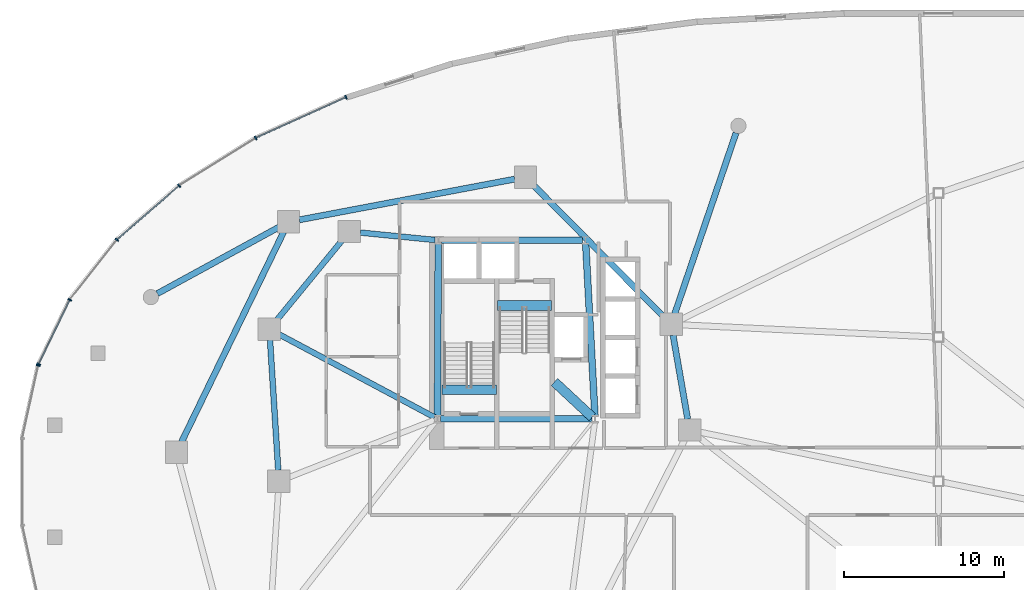
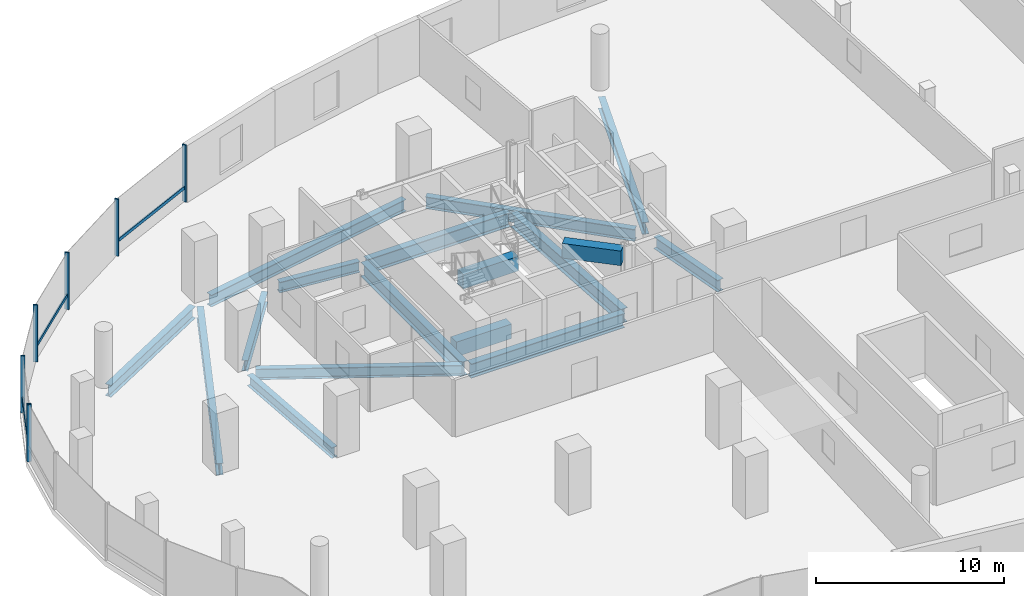
# One storey, part 5 of 18: 17 beams, 10 members, 2 elements without a shape of their own.
"""IFC4 building model written with IfcOpenShell, lengths in metres."""

import ifcopenshell
import ifcopenshell.guid

model = None  # the IFC model being written
_history = None  # IfcOwnerHistory: only IFC2X3 demands one
_inside = {}  # id of a spatial element -> (the spatial element, [elements in it])
_under = {}  # id of a project, library or spatial element -> (it, [spatial elements below it])
_declared = {}  # id of a project -> (the project, [libraries it declares])
_typed = {}  # id of a type object -> (the type object, [elements of that type])
_made_of = {}  # id of a material, layer set ... -> (it, [elements and type objects made of it])


def new_model(schema):
    """Start an empty IFC model of exactly this schema.

    Asked for "IFC4X3", IfcOpenShell would pick the latest addendum, in which some entities
    have other attributes; the version numbers below select the first issue.
    IFC2X3 requires an IfcOwnerHistory on every rooted entity: one is made here for all.
    """
    global model, _history
    if schema == "IFC4X3":
        model = ifcopenshell.file(schema_version=(4, 3, 0, 0))
    else:
        model = ifcopenshell.file(schema=schema)
    _inside.clear()
    _under.clear()
    _declared.clear()
    _typed.clear()
    _made_of.clear()
    _history = None
    if model.schema == "IFC2X3":
        org = make("IfcOrganization", Name="unknown")
        user = make(
            "IfcPersonAndOrganization",
            ThePerson=make("IfcPerson", FamilyName="unknown"),
            TheOrganization=org,
        )
        app = make(
            "IfcApplication",
            ApplicationDeveloper=org,
            Version="unknown",
            ApplicationFullName="unknown",
            ApplicationIdentifier="unknown",
        )
        _history = make(
            "IfcOwnerHistory",
            OwningUser=user,
            OwningApplication=app,
            ChangeAction="ADDED",
            CreationDate=0,
        )
    return model


def make(cls, **values):
    """One entity of the class cls with the attributes given. An attribute that is None is left unset."""
    return model.create_entity(
        cls, **{name: value for name, value in values.items() if value is not None}
    )


def rooted(cls, **values):
    """An entity with a GlobalId (a new one), such as an element, a storey or a relation."""
    return make(cls, GlobalId=ifcopenshell.guid.new(), OwnerHistory=_history, **values)


def si_unit(unit_type, name, prefix=None):
    """IfcSIUnit, for example si_unit("LENGTHUNIT", "METRE", prefix="MILLI")."""
    return make("IfcSIUnit", UnitType=unit_type, Prefix=prefix, Name=name)


def assignment(units):
    """IfcUnitAssignment: the units of a project."""
    return None if units is None else make("IfcUnitAssignment", Units=units)


def point(xyz):
    """IfcCartesianPoint."""
    return None if xyz is None else make("IfcCartesianPoint", Coordinates=xyz)


def direction(xyz):
    """IfcDirection."""
    return None if xyz is None else make("IfcDirection", DirectionRatios=xyz)


def frame(location, z_axis=None, x_axis=None):
    """IfcAxis2Placement3D, a coordinate frame: its origin and axes. An axis left out is left unset."""
    return make(
        "IfcAxis2Placement3D",
        Location=point(location),
        Axis=direction(z_axis),
        RefDirection=direction(x_axis),
    )


def frame_2d(location, x_axis=None):
    """IfcAxis2Placement2D, a coordinate frame in the plane: its origin and x axis."""
    return make(
        "IfcAxis2Placement2D", Location=point(location), RefDirection=direction(x_axis)
    )


def origin():
    """The frame at (0, 0, 0) with its axes left unset."""
    return frame((0.0, 0.0, 0.0))


def origin_2d():
    """The frame at (0, 0) in the plane with its x axis left unset."""
    return frame_2d((0.0, 0.0))


def place(relative_to, where):
    """IfcLocalPlacement: puts the frame where relative to a parent placement (None: the world)."""
    return make(
        "IfcLocalPlacement", PlacementRelTo=relative_to, RelativePlacement=where
    )


def context(
    kind, dimensions, precision=None, world=None, true_north=None, identifier=None
):
    """IfcGeometricRepresentationContext, for example the 3D "Model" context."""
    return make(
        "IfcGeometricRepresentationContext",
        ContextIdentifier=identifier,
        ContextType=kind,
        CoordinateSpaceDimension=dimensions,
        Precision=precision,
        WorldCoordinateSystem=world,
        TrueNorth=true_north,
    )


def subcontext(parent, identifier, kind, view, scale=None):
    """IfcGeometricRepresentationSubContext, for example "Body" below "Model"."""
    return make(
        "IfcGeometricRepresentationSubContext",
        ContextIdentifier=identifier,
        ContextType=kind,
        ParentContext=parent,
        TargetScale=scale,
        TargetView=view,
    )


def project(units=None, contexts=None):
    """IfcProject with its units and contexts."""
    return rooted(
        "IfcProject",
        Name="project",
        RepresentationContexts=contexts,
        UnitsInContext=assignment(units),
    )


def spatial(cls, under=None, at=None, **own):
    """A site, building, storey or space (cls), placed at a placement, below another one or the project."""
    s = rooted(cls, ObjectPlacement=at, **own)
    if under is not None:
        _under.setdefault(under.id(), (under, []))[1].append(s)
    return s


def profile(cls, at=None, kind="AREA", **sizes):
    """A parametric profile (cls). Its sizes go by their IFC names, for example OverallWidth=200.0."""
    return make(cls, ProfileType=kind, Position=at, **sizes)


def rectangle(**sizes):
    """IfcRectangleProfileDef."""
    return profile("IfcRectangleProfileDef", **sizes)


def i_section(**sizes):
    """IfcIShapeProfileDef."""
    return profile("IfcIShapeProfileDef", **sizes)


def extrude(swept, where, along, depth):
    """IfcExtrudedAreaSolid: the profile swept, set in the frame where, extruded along a direction by depth."""
    return make(
        "IfcExtrudedAreaSolid",
        SweptArea=swept,
        Position=where,
        ExtrudedDirection=direction(along),
        Depth=depth,
    )


def shape(context_of_items, identifier, shape_type, items):
    """IfcShapeRepresentation: the items that make up one representation, for example the "Body"."""
    return make(
        "IfcShapeRepresentation",
        ContextOfItems=context_of_items,
        RepresentationIdentifier=identifier,
        RepresentationType=shape_type,
        Items=items,
    )


def material(Name=None, Category=None):
    """IfcMaterial."""
    return make("IfcMaterial", Name=Name, Category=Category)


def material_profile(
    of_material, cross_section, Name=None, Category=None, Priority=None
):
    """IfcMaterialProfile: a cross section and its material."""
    return make(
        "IfcMaterialProfile",
        Name=Name,
        Material=of_material,
        Profile=cross_section,
        Priority=Priority,
        Category=Category,
    )


def profile_set(profiles, Name=None, composite=None):
    """IfcMaterialProfileSet."""
    return make(
        "IfcMaterialProfileSet",
        Name=Name,
        MaterialProfiles=profiles,
        CompositeProfile=composite,
    )


def made_of(thing, what):
    """Note that an element or type object is made of a material, layer set ...; save() writes the relation."""
    if what is not None:
        _made_of.setdefault(what.id(), (what, []))[1].append(thing)
    return thing


def type_object(cls, material=None, **own):
    """A type object (cls), such as IfcWallType, which elements share."""
    return made_of(rooted(cls, **own), material)


def element(
    cls,
    number,
    at=None,
    inside=None,
    cuts=None,
    type_object=None,
    material=None,
    context=None,
    identifier="Body",
    shape_type=None,
    held_by="IfcProductDefinitionShape",
    body=None,
    shapes=None,
    **own,
):
    """One element of the class cls, such as IfcWall. Its Tag is "e" and its number.

    at: its placement. inside: the storey or other place that contains it. cuts: it is an
    opening in that element (IfcRelVoidsElement). A single representation is given by context,
    identifier, shape_type and body (its items); several are given by shapes. held_by: the class
    of the entity that holds the representations. save() writes the other relations.
    """
    e = rooted(cls, Tag="e%d" % number, ObjectPlacement=at, **own)
    if body is not None:
        shapes = [shape(context, identifier, shape_type, body)]
    if shapes is not None:
        e.Representation = make(held_by, Representations=shapes)
    if inside is not None:
        _inside.setdefault(inside.id(), (inside, []))[1].append(e)
    if cuts is not None:
        rooted(
            "IfcRelVoidsElement", RelatingBuildingElement=cuts, RelatedOpeningElement=e
        )
    if type_object is not None:
        _typed.setdefault(type_object.id(), (type_object, []))[1].append(e)
    return made_of(e, material)


def aggregate(whole, parts):
    """IfcRelAggregates: a whole, such as a stair, and the parts it consists of."""
    return rooted("IfcRelAggregates", RelatingObject=whole, RelatedObjects=parts)


def save(model, path):
    """Write the relations noted so far, then the file.

    IfcRelAggregates (storeys below a building ...), IfcRelContainedInSpatialStructure (elements
    in a storey), IfcRelDefinesByType, IfcRelAssociatesMaterial and IfcRelDeclares: one each for
    every whole, place, type object, material and project.
    """
    for whole, parts in _under.values():
        aggregate(whole, parts)
    for where, things in _inside.values():
        rooted(
            "IfcRelContainedInSpatialStructure",
            RelatedElements=things,
            RelatingStructure=where,
        )
    for kind, things in _typed.values():
        rooted("IfcRelDefinesByType", RelatedObjects=things, RelatingType=kind)
    for what, things in _made_of.values():
        rooted("IfcRelAssociatesMaterial", RelatedObjects=things, RelatingMaterial=what)
    for by, libraries in _declared.values():
        rooted("IfcRelDeclares", RelatingContext=by, RelatedDefinitions=libraries)
    model.write(path)


model = new_model("IFC4")

# Units and contexts
model_context = context("Model", 3, precision=1e-05, world=origin(), true_north=direction((0.0, 1.0)))
body_context = subcontext(model_context, "Body", "Model", "MODEL_VIEW")
ifc_project = project(units=[si_unit("LENGTHUNIT", "METRE"), si_unit("AREAUNIT", "SQUARE_METRE"), si_unit("VOLUMEUNIT", "CUBIC_METRE"), si_unit("PLANEANGLEUNIT", "RADIAN"), si_unit("MASSUNIT", "GRAM", prefix="KILO"), si_unit("THERMODYNAMICTEMPERATUREUNIT", "KELVIN"), si_unit("POWERUNIT", "WATT")], contexts=[model_context])

# Site, building, storey
site_placement = place(None, origin())
site = spatial("IfcSite", under=ifc_project, at=site_placement, CompositionType="ELEMENT")
building_placement = place(site_placement, origin())
building = spatial("IfcBuilding", under=site, at=building_placement, Name="Cundina Bronze Exchange", CompositionType="ELEMENT")
storey_placement = place(building_placement, frame((0.0, 0.0, 20.0)))
storey = spatial("IfcBuildingStorey", under=building, at=storey_placement, Name="L04", CompositionType="ELEMENT", Elevation=20.0)

# Beams
ifc_material_1 = material(Name="Concrete C60/75", Category="concrete")
ifc_material_profile_1 = material_profile(ifc_material_1, rectangle(XDim=0.60009765625, YDim=0.949951171875, at=origin_2d()), Name="RC600X950", Category="concrete")
ifc_profile_set_1 = profile_set([ifc_material_profile_1], Name="Concrete C60/75")
beam_type_1 = type_object("IfcBeamType", Name="BM-COUP-RC950", PredefinedType="LINTEL", material=ifc_profile_set_1)
beam_1_placement = place(storey_placement, frame((-31.02001953125, 5.719970703125, -0.47509765625), z_axis=(1.0, 0.0, 0.0), x_axis=(0.0, 1.0, 0.0)))
element("IfcBeam", 1, at=beam_1_placement, inside=storey, type_object=beam_type_1, Name="L04 Stair W1 Landing Header Beam", PredefinedType="LINTEL", context=body_context, shape_type="SweptSolid", body=[
    extrude(rectangle(XDim=0.60009765625, YDim=0.949951171875, at=origin_2d()), origin(), (0.0, 0.0, 1.0), 3.39990234375),
])
beam_2_placement = place(storey_placement, frame((-27.56005859375, 10.97998046875, -0.47509765625), z_axis=(1.0, 0.0, 0.0), x_axis=(0.0, 1.0, 0.0)))
element("IfcBeam", 2, at=beam_2_placement, inside=storey, type_object=beam_type_1, Name="L04 Stair W2 Landing Header Beam", PredefinedType="LINTEL", context=body_context, shape_type="SweptSolid", body=[
    extrude(rectangle(XDim=0.60009765625, YDim=0.949951171875, at=origin_2d()), origin(), (0.0, 0.0, 1.0), 3.400146484375),
])
beam_3_placement = place(storey_placement, frame((-23.989990234375, 6.199951171875, 3.22509765625), z_axis=(0.731490439815, -0.681851696822, 0.0), x_axis=(0.681851696822, 0.731490439815, 0.0)))
element("IfcBeam", 3, at=beam_3_placement, inside=storey, type_object=beam_type_1, Name="L04 W Core Shear Coupling Lintel Beam", PredefinedType="LINTEL", context=body_context, shape_type="SweptSolid", body=[
    extrude(rectangle(XDim=0.60009765625, YDim=0.949951171875, at=origin_2d()), origin(), (0.0, 0.0, 1.0), 3.226318359375),
])
ifc_material_2 = material(Name="Steel ASTM A992 Grade 50", Category="steel")
ifc_material_profile_2 = material_profile(ifc_material_2, i_section(OverallWidth=0.35498046875, OverallDepth=0.695068359375, WebThickness=0.015380859375, FlangeThickness=0.02490234375, FilletRadius=0.01806640625, at=origin_2d()), Name="W27X146", Category="steel")
ifc_profile_set_2 = profile_set([ifc_material_profile_2], Name="Steel ASTM A992 Grade 50")
beam_type_2 = type_object("IfcBeamType", Name="BM-RING-W27", PredefinedType="USERDEFINED", material=ifc_profile_set_2)
beam_4_placement = place(storey_placement, frame((-31.452880859375, 15.070068359375, -0.697509765625), z_axis=(-0.995123484374, 0.098636964914, 0.0), x_axis=(-0.098636964914, -0.995123484374, 0.0)))
element("IfcBeam", 4, at=beam_4_placement, inside=storey, type_object=beam_type_2, Name="L04 W Inner Structural Ring Girder 01", ObjectType="GIRDER", PredefinedType="USERDEFINED", context=body_context, shape_type="SweptSolid", body=[
    extrude(i_section(OverallWidth=0.35498046875, OverallDepth=0.695068359375, WebThickness=0.015380859375, FlangeThickness=0.02490234375, FilletRadius=0.01806640625, at=origin_2d()), origin(), (0.0, 0.0, 1.0), 4.685546875),
])
beam_5_placement = place(storey_placement, frame((-37.236083984375, 15.06787109375, -0.697509765625), z_axis=(-0.633941925234, -0.773380653644, 0.0), x_axis=(0.773380653644, -0.633941925234, 0.0)))
element("IfcBeam", 5, at=beam_5_placement, inside=storey, type_object=beam_type_2, Name="L04 W Inner Structural Ring Girder 02", ObjectType="GIRDER", PredefinedType="USERDEFINED", context=body_context, shape_type="SweptSolid", body=[
    extrude(i_section(OverallWidth=0.35498046875, OverallDepth=0.695068359375, WebThickness=0.015380859375, FlangeThickness=0.02490234375, FilletRadius=0.01806640625, at=origin_2d()), origin(), (0.0, 0.0, 1.0), 6.511474609375),
])
beam_6_placement = place(storey_placement, frame((-41.756591796875, 8.8134765625, -0.697509765625), z_axis=(0.063020359641, -0.998012241544, 0.0), x_axis=(0.998012241544, 0.063020359641, 0.0)))
element("IfcBeam", 6, at=beam_6_placement, inside=storey, type_object=beam_type_2, Name="L04 W Inner Structural Ring Girder 03", ObjectType="GIRDER", PredefinedType="USERDEFINED", context=body_context, shape_type="SweptSolid", body=[
    extrude(i_section(OverallWidth=0.35498046875, OverallDepth=0.695068359375, WebThickness=0.015380859375, FlangeThickness=0.02490234375, FilletRadius=0.01806640625, at=origin_2d()), origin(), (0.0, 0.0, 1.0), 8.14306640625),
])
beam_7_placement = place(storey_placement, frame((-31.47998046875, 3.99609375, -0.697509765625), z_axis=(-0.882354169055, 0.470585933014, 0.0), x_axis=(-0.470585933014, -0.882354169055, 0.0)))
element("IfcBeam", 7, at=beam_7_placement, inside=storey, type_object=beam_type_2, Name="L04 W Core-to-Waist Tie Beam 2", ObjectType="GIRDER", PredefinedType="USERDEFINED", context=body_context, shape_type="SweptSolid", body=[
    extrude(i_section(OverallWidth=0.35498046875, OverallDepth=0.695068359375, WebThickness=0.015380859375, FlangeThickness=0.02490234375, FilletRadius=0.01806640625, at=origin_2d()), origin(), (0.0, 0.0, 1.0), 11.0078125),
])
ifc_material_profile_3 = material_profile(ifc_material_2, i_section(OverallWidth=0.381103515625, OverallDepth=0.77294921875, WebThickness=0.0166015625, FlangeThickness=0.027099609375, FilletRadius=0.01904296875, at=origin_2d()), Name="W30X173", Category="steel")
ifc_profile_set_3 = profile_set([ifc_material_profile_3], Name="Steel ASTM A992 Grade 50")
beam_type_3 = type_object("IfcBeamType", Name="BM-RING-W30", PredefinedType="USERDEFINED", material=ifc_profile_set_3)
beam_8_placement = place(storey_placement, frame((-48.793701171875, 11.721923828125, -0.736572265625), z_axis=(0.877499398221, 0.479577737308, 0.0), x_axis=(-0.479577737308, 0.877499398221, 0.0)))
element("IfcBeam", 8, at=beam_8_placement, inside=storey, type_object=beam_type_3, Name="L04 Podium Colonnade Tie Beam 01", ObjectType="GIRDER", PredefinedType="USERDEFINED", context=body_context, shape_type="SweptSolid", body=[
    extrude(i_section(OverallWidth=0.381103515625, OverallDepth=0.77294921875, WebThickness=0.0166015625, FlangeThickness=0.027099609375, FilletRadius=0.01904296875, at=origin_2d()), origin(), (0.0, 0.0, 1.0), 8.649658203125),
])
beam_9_placement = place(storey_placement, frame((-12.6484375, 21.761474609375, -0.736572265625), z_axis=(-0.320812062771, -0.947142872211, 0.0), x_axis=(0.947142872211, -0.320812062771, 0.0)))
element("IfcBeam", 9, at=beam_9_placement, inside=storey, type_object=beam_type_3, Name="L04 Podium Colonnade Tie Beam 03", ObjectType="GIRDER", PredefinedType="USERDEFINED", context=body_context, shape_type="SweptSolid", body=[
    extrude(i_section(OverallWidth=0.381103515625, OverallDepth=0.77294921875, WebThickness=0.0166015625, FlangeThickness=0.027099609375, FilletRadius=0.01904296875, at=origin_2d()), origin(), (0.0, 0.0, 1.0), 11.94091796875),
])
beam_10_placement = place(storey_placement, frame((-15.668212890625, 3.877685546875, -0.736572265625), z_axis=(-0.171608250567, 0.985165269555, 0.0), x_axis=(-0.985165269555, -0.171608250567, 0.0)))
element("IfcBeam", 10, at=beam_10_placement, inside=storey, type_object=beam_type_3, Name="L04 W Podium Ring Girder 00", ObjectType="GIRDER", PredefinedType="USERDEFINED", context=body_context, shape_type="SweptSolid", body=[
    extrude(i_section(OverallWidth=0.381103515625, OverallDepth=0.77294921875, WebThickness=0.0166015625, FlangeThickness=0.027099609375, FilletRadius=0.01904296875, at=origin_2d()), origin(), (0.0, 0.0, 1.0), 5.323486328125),
])
beam_11_placement = place(storey_placement, frame((-17.183837890625, 10.2890625, -0.736572265625), z_axis=(-0.703222219128, 0.710970119291, 0.0), x_axis=(-0.710970119291, -0.703222219128, 0.0)))
element("IfcBeam", 11, at=beam_11_placement, inside=storey, type_object=beam_type_3, Name="L04 W Podium Ring Girder 02", ObjectType="GIRDER", PredefinedType="USERDEFINED", context=body_context, shape_type="SweptSolid", body=[
    extrude(i_section(OverallWidth=0.381103515625, OverallDepth=0.77294921875, WebThickness=0.0166015625, FlangeThickness=0.027099609375, FilletRadius=0.01904296875, at=origin_2d()), origin(), (0.0, 0.0, 1.0), 11.564453125),
])
beam_12_placement = place(storey_placement, frame((-26.47607421875, 18.8720703125, -0.736572265625), z_axis=(-0.982570597927, -0.18588980631, 0.0), x_axis=(0.18588980631, -0.982570597927, 0.0)))
element("IfcBeam", 12, at=beam_12_placement, inside=storey, type_object=beam_type_3, Name="L04 W Podium Ring Girder 04", ObjectType="GIRDER", PredefinedType="USERDEFINED", context=body_context, shape_type="SweptSolid", body=[
    extrude(i_section(OverallWidth=0.381103515625, OverallDepth=0.77294921875, WebThickness=0.0166015625, FlangeThickness=0.027099609375, FilletRadius=0.01904296875, at=origin_2d()), origin(), (0.0, 0.0, 1.0), 13.6865234375),
])
beam_13_placement = place(storey_placement, frame((-40.90087890625, 15.581298828125, -0.736572265625), z_axis=(-0.437190083216, -0.899369129522, 0.0), x_axis=(0.899369129522, -0.437190083216, 0.0)))
element("IfcBeam", 13, at=beam_13_placement, inside=storey, type_object=beam_type_3, Name="L04 W Podium Ring Girder 06", ObjectType="GIRDER", PredefinedType="USERDEFINED", context=body_context, shape_type="SweptSolid", body=[
    extrude(i_section(OverallWidth=0.381103515625, OverallDepth=0.77294921875, WebThickness=0.0166015625, FlangeThickness=0.027099609375, FilletRadius=0.01904296875, at=origin_2d()), origin(), (0.0, 0.0, 1.0), 14.63525390625),
])
ifc_material_profile_4 = material_profile(ifc_material_2, i_section(OverallWidth=0.41796875, OverallDepth=0.927001953125, WebThickness=0.019287109375, FlangeThickness=0.031982421875, FilletRadius=0.02392578125, at=origin_2d()), Name="W36X231", Category="steel")
ifc_profile_set_4 = profile_set([ifc_material_profile_4], Name="Steel ASTM A992 Grade 50")
beam_type_4 = type_object("IfcBeamType", Name="BM-WRN-W36B", PredefinedType="USERDEFINED", material=ifc_profile_set_4)
beam_14_placement = place(storey_placement, frame((-31.095947265625, 3.89990234375, -0.8134765625), z_axis=(1.0, 0.0, 0.0), x_axis=(0.0, 1.0, 0.0)))
element("IfcBeam", 14, at=beam_14_placement, inside=storey, type_object=beam_type_4, Name="L04 W Core Perimeter Tie Girder 1", ObjectType="GIRDER", PredefinedType="USERDEFINED", context=body_context, shape_type="SweptSolid", body=[
    extrude(i_section(OverallWidth=0.41796875, OverallDepth=0.927001953125, WebThickness=0.019287109375, FlangeThickness=0.031982421875, FilletRadius=0.02392578125, at=origin_2d()), origin(), (0.0, 0.0, 1.0), 9.44189453125),
])
beam_15_placement = place(storey_placement, frame((-21.4609375, 4.103759765625, -0.8134765625), z_axis=(-0.053739193498, 0.998555005537, 0.0), x_axis=(-0.998555005537, -0.053739193498, 0.0)))
element("IfcBeam", 15, at=beam_15_placement, inside=storey, type_object=beam_type_4, Name="L04 W Core Perimeter Tie Girder 2", ObjectType="GIRDER", PredefinedType="USERDEFINED", context=body_context, shape_type="SweptSolid", body=[
    extrude(i_section(OverallWidth=0.41796875, OverallDepth=0.927001953125, WebThickness=0.019287109375, FlangeThickness=0.031982421875, FilletRadius=0.02392578125, at=origin_2d()), origin(), (0.0, 0.0, 1.0), 10.758056640625),
])
beam_16_placement = place(storey_placement, frame((-22.25390625, 15.050048828125, -0.8134765625), z_axis=(-1.0, 0.0, 0.0), x_axis=(0.0, -1.0, 0.0)))
element("IfcBeam", 16, at=beam_16_placement, inside=storey, type_object=beam_type_4, Name="L04 W Core Perimeter Tie Girder 3", ObjectType="GIRDER", PredefinedType="USERDEFINED", context=body_context, shape_type="SweptSolid", body=[
    extrude(i_section(OverallWidth=0.41796875, OverallDepth=0.927001953125, WebThickness=0.019287109375, FlangeThickness=0.031982421875, FilletRadius=0.02392578125, at=origin_2d()), origin(), (0.0, 0.0, 1.0), 8.7919921875),
])
beam_17_placement = place(storey_placement, frame((-31.2509765625, 14.845947265625, -0.8134765625), z_axis=(-0.004477329608, -0.99998997671, 0.0), x_axis=(0.99998997671, -0.004477329608, 0.0)))
element("IfcBeam", 17, at=beam_17_placement, inside=storey, type_object=beam_type_4, Name="L04 W Core Perimeter Tie Girder 4", ObjectType="GIRDER", PredefinedType="USERDEFINED", context=body_context, shape_type="SweptSolid", body=[
    extrude(i_section(OverallWidth=0.41796875, OverallDepth=0.927001953125, WebThickness=0.019287109375, FlangeThickness=0.031982421875, FilletRadius=0.02392578125, at=origin_2d()), origin(), (0.0, 0.0, 1.0), 10.741943359375),
])

# Curtain wall, members
ifc_material_3 = material(Name="Anodised Bronze Aluminium 6063-T6", Category="aluminium")
curtain_wall_type = type_object("IfcCurtainWallType", Name="CWS-POD-CONC", PredefinedType="NOTDEFINED", material=ifc_material_3)
curtain_wall_1_placement = place(storey_placement, origin())
curtain_wall_1 = element("IfcCurtainWall", 18, at=curtain_wall_1_placement, inside=storey, type_object=curtain_wall_type, Name="L04 CW-01 Curtain Wall Run CWR-L04-03", PredefinedType="NOTDEFINED")
ifc_material_profile_5 = material_profile(ifc_material_3, rectangle(XDim=0.0849609375, YDim=0.25, at=origin_2d()), Name="AL85X250", Category="aluminium")
ifc_profile_set_5 = profile_set([ifc_material_profile_5], Name="Anodised Bronze Aluminium 6063-T6")
member_type_1 = type_object("IfcMemberType", Name="CWM-MUL-250", PredefinedType="MULLION", material=ifc_profile_set_5)
member_1_placement = place(storey_placement, frame((-37.013671875, 23.990478515625, 0.0), z_axis=(0.0, 0.0, 1.0), x_axis=(-0.911618620107, -0.411037092578, 0.0)))
member_1 = element("IfcMember", 19, at=member_1_placement, type_object=member_type_1, Name="CW-01 Mullion 1", PredefinedType="MULLION", context=body_context, shape_type="SweptSolid", body=[
    extrude(rectangle(XDim=0.0849609375, YDim=0.25, at=origin_2d()), origin(), (0.0, 0.0, 1.0), 3.699951171875),
])
member_2_placement = place(storey_placement, frame((-42.654052734375, 21.4404296875, 0.0), z_axis=(0.0, 0.0, 1.0), x_axis=(-0.849248260906, -0.527993741769, 0.0)))
member_2 = element("IfcMember", 20, at=member_2_placement, type_object=member_type_1, Name="CW-01 Mullion 2", PredefinedType="MULLION", context=body_context, shape_type="SweptSolid", body=[
    extrude(rectangle(XDim=0.0849609375, YDim=0.25, at=origin_2d()), origin(), (0.0, 0.0, 1.0), 3.699951171875),
])
member_3_placement = place(storey_placement, frame((-47.43701171875, 18.45849609375, 0.0), z_axis=(0.0, 0.0, 1.0), x_axis=(-0.755510544084, -0.6551364879, 0.0)))
member_3 = element("IfcMember", 21, at=member_3_placement, type_object=member_type_1, Name="CW-01 Mullion 3", PredefinedType="MULLION", context=body_context, shape_type="SweptSolid", body=[
    extrude(rectangle(XDim=0.0849609375, YDim=0.25, at=origin_2d()), origin(), (0.0, 0.0, 1.0), 3.699951171875),
])
member_4_placement = place(storey_placement, frame((-51.320068359375, 15.08056640625, 0.0), z_axis=(0.0, 0.0, 1.0), x_axis=(-0.61950505541, -0.784992666412, 0.0)))
member_4 = element("IfcMember", 22, at=member_4_placement, type_object=member_type_1, Name="CW-01 Mullion 4", PredefinedType="MULLION", context=body_context, shape_type="SweptSolid", body=[
    extrude(rectangle(XDim=0.0849609375, YDim=0.25, at=origin_2d()), origin(), (0.0, 0.0, 1.0), 3.699951171875),
])
member_5_placement = place(storey_placement, frame((-54.263427734375, 11.335205078125, 0.0), z_axis=(0.0, 0.0, 1.0), x_axis=(-0.435702445497, -0.900090761528, 0.0)))
member_5 = element("IfcMember", 23, at=member_5_placement, type_object=member_type_1, Name="CW-01 Mullion 5", PredefinedType="MULLION", context=body_context, shape_type="SweptSolid", body=[
    extrude(rectangle(XDim=0.0849609375, YDim=0.25, at=origin_2d()), origin(), (0.0, 0.0, 1.0), 3.699951171875),
])
member_6_placement = place(storey_placement, frame((-56.211669921875, 7.311279296875, 0.0), z_axis=(0.0, 0.0, 1.0), x_axis=(-0.435702445497, -0.900090761528, 0.0)))
member_6 = element("IfcMember", 24, at=member_6_placement, type_object=member_type_1, Name="CW-01 End Mullion", PredefinedType="MULLION", context=body_context, shape_type="SweptSolid", body=[
    extrude(rectangle(XDim=0.0849609375, YDim=0.25, at=origin_2d()), origin(), (0.0, 0.0, 1.0), 3.699951171875),
])

# Curtain wall, member
curtain_wall_2_placement = place(storey_placement, origin())
curtain_wall_2 = element("IfcCurtainWall", 25, at=curtain_wall_2_placement, inside=storey, type_object=curtain_wall_type, Name="L04 CW-01 Curtain Wall Run CWR-L04-04", PredefinedType="NOTDEFINED")
member_7_placement = place(storey_placement, frame((-56.239013671875, 7.231689453125, 0.0), z_axis=(0.0, 0.0, 1.0), x_axis=(-0.214564862428, -0.976709741843, 0.0)))
member_7 = element("IfcMember", 26, at=member_7_placement, type_object=member_type_1, Name="CW-01 Mullion 1", PredefinedType="MULLION", context=body_context, shape_type="SweptSolid", body=[
    extrude(rectangle(XDim=0.0849609375, YDim=0.25, at=origin_2d()), origin(), (0.0, 0.0, 1.0), 3.699951171875),
])
aggregate(curtain_wall_2, [member_7])

# Member
ifc_material_profile_6 = material_profile(ifc_material_3, rectangle(XDim=0.080078125, YDim=0.2099609375, at=origin_2d()), Name="AL80X210", Category="aluminium")
ifc_profile_set_6 = profile_set([ifc_material_profile_6], Name="Anodised Bronze Aluminium 6063-T6")
member_type_2 = type_object("IfcMemberType", Name="CWM-TRN-210", PredefinedType="USERDEFINED", material=ifc_profile_set_6)
member_8_placement = place(storey_placement, frame((-37.056396484375, 23.97119140625, 0.919921875), z_axis=(-0.911641535198, -0.410986266561, 0.0), x_axis=(0.410986266561, -0.911641535198, 0.0)))
member_8 = element("IfcMember", 27, at=member_8_placement, type_object=member_type_2, Name="CW-01 Spandrel Transom 1", ObjectType="TRANSOM", PredefinedType="USERDEFINED", context=body_context, shape_type="SweptSolid", body=[
    extrude(rectangle(XDim=0.080078125, YDim=0.2099609375, at=origin_2d()), origin(), (0.0, 0.0, 1.0), 6.090576171875),
])

member_9_placement = place(storey_placement, frame((-47.472412109375, 18.427734375, 0.919921875), z_axis=(-0.755563201238, -0.655075758164, 0.0), x_axis=(0.655075758164, -0.755563201238, 0.0)))
member_9 = element("IfcMember", 28, at=member_9_placement, type_object=member_type_2, Name="CW-01 Spandrel Transom 3", ObjectType="TRANSOM", PredefinedType="USERDEFINED", context=body_context, shape_type="SweptSolid", body=[
    extrude(rectangle(XDim=0.080078125, YDim=0.2099609375, at=origin_2d()), origin(), (0.0, 0.0, 1.0), 5.055908203125),
])

member_10_placement = place(storey_placement, frame((-54.28369140625, 11.293212890625, 0.919921875), z_axis=(-0.435776682523, -0.900054822202, 0.0), x_axis=(0.900054822202, -0.435776682523, 0.0)))
member_10 = element("IfcMember", 29, at=member_10_placement, type_object=member_type_2, Name="CW-01 Spandrel Transom 5", ObjectType="TRANSOM", PredefinedType="USERDEFINED", context=body_context, shape_type="SweptSolid", body=[
    extrude(rectangle(XDim=0.080078125, YDim=0.2099609375, at=origin_2d()), origin(), (0.0, 0.0, 1.0), 4.377197265625),
])

aggregate(curtain_wall_1, [member_1, member_8, member_2, member_3, member_9, member_4, member_5, member_6, member_10])

save(model, "model.ifc")
